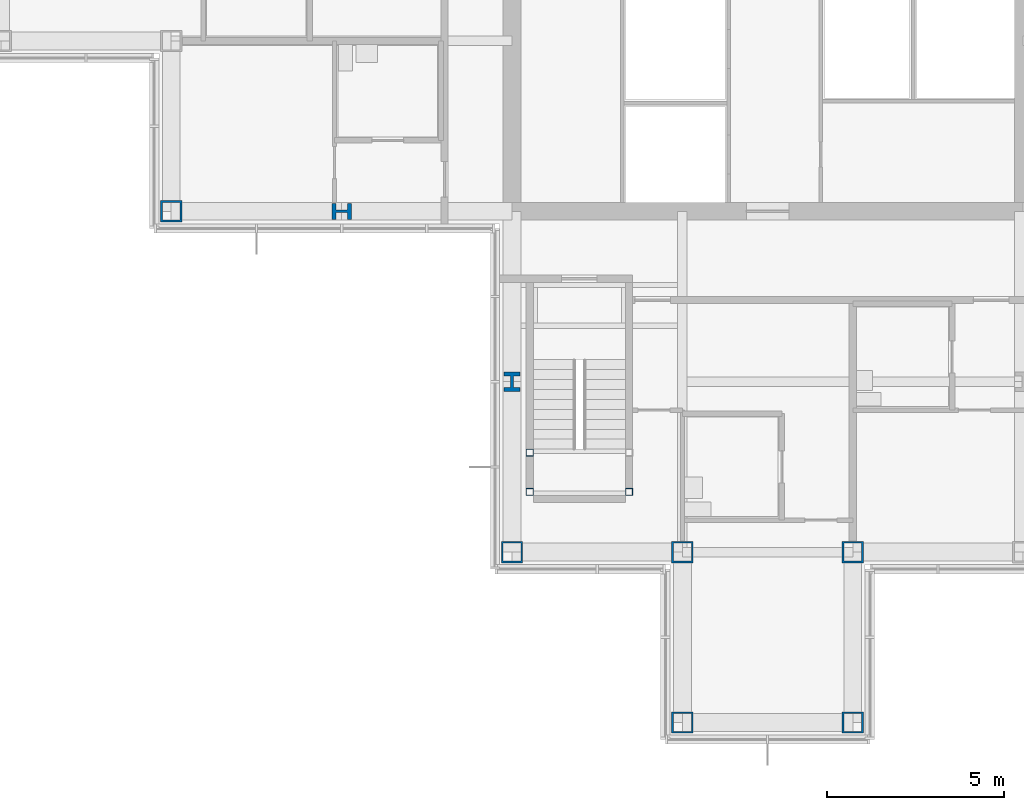
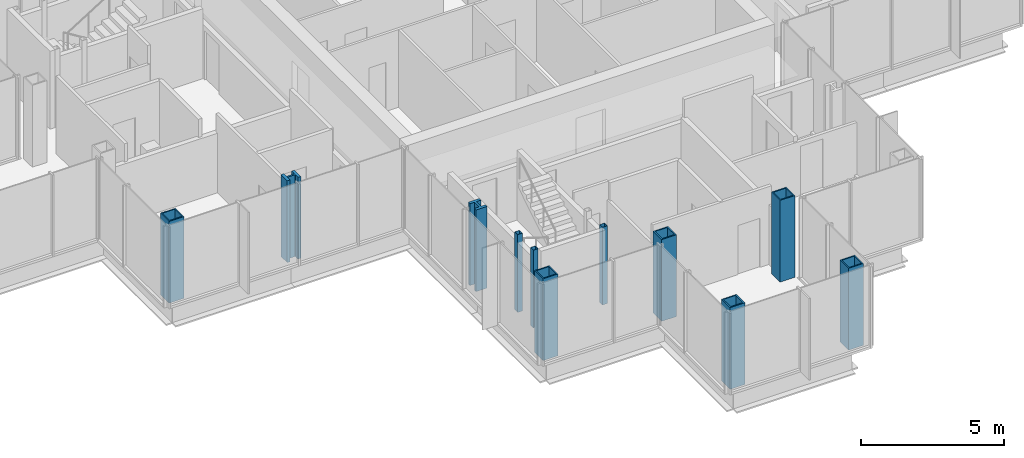
# One storey, part 1 of 15: 11 columns.
"""IFC4 building model written with IfcOpenShell, lengths in metres."""

from ifc_helpers import new_model, si_unit, direction, frame, origin, origin_2d, place, context, subcontext, project, spatial, hollow_rectangle, i_section, extrude, material, material_profile, profile_set, type_object, element, save


model = new_model("IFC4")

# Units and contexts
model_context = context("Model", 3, precision=1e-05, world=origin(), true_north=direction((0.0, 1.0)))
body_context = subcontext(model_context, "Body", "Model", "MODEL_VIEW")
ifc_project = project(units=[si_unit("LENGTHUNIT", "METRE"), si_unit("AREAUNIT", "SQUARE_METRE"), si_unit("VOLUMEUNIT", "CUBIC_METRE"), si_unit("PLANEANGLEUNIT", "RADIAN"), si_unit("MASSUNIT", "GRAM", prefix="KILO")], contexts=[model_context])

# Site, building, storey
site_placement = place(None, origin())
site = spatial("IfcSite", under=ifc_project, at=site_placement, CompositionType="ELEMENT")
building_placement = place(site_placement, origin())
building = spatial("IfcBuilding", under=site, at=building_placement, Name="Kvirike Care Tower", CompositionType="ELEMENT")
storey_placement = place(building_placement, frame((0.0, 0.0, 229.5)))
storey = spatial("IfcBuildingStorey", under=building, at=storey_placement, Name="L63", CompositionType="ELEMENT", Elevation=229.5)

# Columns
ifc_material_1 = material(Name="Steel S460", Category="steel")
ifc_material_profile_1 = material_profile(ifc_material_1, hollow_rectangle(XDim=0.60009765625, YDim=0.60009765625, WallThickness=0.050048828125, at=origin_2d()), Name="BX 600x600x50")
ifc_profile_set_1 = profile_set([ifc_material_profile_1], Name="Steel S460")
column_type_1 = type_object("IfcColumnType", Name="COLUMN BX 600x600x50", PredefinedType="COLUMN", material=ifc_profile_set_1)
for number, where, z_axis, x_axis, name in (
    (1, (4.800048828125, 28.800048828125, 0.0), (0.0, 0.0, 1.0), (0.0, 1.0, 0.0), "Column G4 L63"),
    (2, (14.39990234375, 19.199951171875, 0.0), (0.0, 0.0, 1.0), (0.0, 1.0, 0.0), "Column E6 L63"),
    (3, (19.199951171875, 14.39990234375, 0.0), (0.0, 0.0, 1.0), (0.0, 1.0, 0.0), "Column D7 L63"),
    (4, (19.199951171875, 19.199951171875, 0.0), (0.0, 0.0, 1.0), (0.0, 1.0, 0.0), "Column E7 L63"),
    (5, (24.0, 14.39990234375, 0.0), (0.0, 0.0, 1.0), (0.0, 1.0, 0.0), "Column D8 L63"),
    (6, (24.0, 19.199951171875, 0.0), (0.0, 0.0, 1.0), (0.0, 1.0, 0.0), "Column E8 L63"),
):
    element("IfcColumn", number, at=place(storey_placement, frame(where, z_axis=z_axis, x_axis=x_axis)), inside=storey, type_object=column_type_1, Name=name, PredefinedType="COLUMN", context=body_context, shape_type="SweptSolid", body=[
        extrude(hollow_rectangle(XDim=0.60009765625, YDim=0.60009765625, WallThickness=0.050048828125, at=origin_2d()), origin(), (0.0, 0.0, 1.0), 3.5),
    ])
ifc_material_2 = material(Name="Steel S460", Category="steel")
ifc_material_profile_2 = material_profile(ifc_material_2, i_section(OverallWidth=0.447998046875, OverallDepth=0.550048828125, WebThickness=0.072021484375, FlangeThickness=0.114990234375, FilletRadius=0.014892578125, at=origin_2d()), Name="HD 400x990")
ifc_profile_set_2 = profile_set([ifc_material_profile_2], Name="Steel S460")
column_type_2 = type_object("IfcColumnType", Name="COLUMN HD 400x990", PredefinedType="COLUMN", material=ifc_profile_set_2)
for number, where, z_axis, x_axis, name in (
    (7, (9.60009765625, 28.800048828125, 0.0), (0.0, 0.0, 1.0), (0.0, 1.0, 0.0), "Column G5 L63"),
    (8, (14.39990234375, 24.0, 0.0), (0.0, 0.0, 1.0), (1.0, 0.0, 0.0), "Column F6 L63"),
):
    element("IfcColumn", number, at=place(storey_placement, frame(where, z_axis=z_axis, x_axis=x_axis)), inside=storey, type_object=column_type_2, Name=name, PredefinedType="COLUMN", context=body_context, shape_type="SweptSolid", body=[
        extrude(i_section(OverallWidth=0.447998046875, OverallDepth=0.550048828125, WebThickness=0.072021484375, FlangeThickness=0.114990234375, FilletRadius=0.014892578125, at=origin_2d()), origin(), (0.0, 0.0, 1.0), 3.5),
    ])
ifc_material_3 = material(Name="Steel S460", Category="steel")
ifc_material_profile_3 = material_profile(ifc_material_3, hollow_rectangle(XDim=0.199951171875, YDim=0.199951171875, WallThickness=0.008056640625, at=origin_2d()), Name="SHS 200x200x8")
ifc_profile_set_3 = profile_set([ifc_material_profile_3], Name="Steel S460")
column_type_3 = type_object("IfcColumnType", Name="STAIR POST SHS 200x200x8", PredefinedType="COLUMN", material=ifc_profile_set_3)
for number, where, z_axis, x_axis, name in (
    (9, (14.89990234375, 20.89990234375, 0.0), (0.0, 0.0, 1.0), (1.0, 0.0, 0.0), "Stair 5 post 1 L63"),
    (10, (17.699951171875, 20.89990234375, 0.0), (0.0, 0.0, 1.0), (1.0, 0.0, 0.0), "Stair 5 post 2 L63"),
    (11, (14.89990234375, 22.0, 0.0), (0.0, 0.0, 1.0), (1.0, 0.0, 0.0), "Stair 5 post 3 L63"),
):
    element("IfcColumn", number, at=place(storey_placement, frame(where, z_axis=z_axis, x_axis=x_axis)), inside=storey, type_object=column_type_3, Name=name, PredefinedType="COLUMN", context=body_context, shape_type="SweptSolid", body=[
        extrude(hollow_rectangle(XDim=0.199951171875, YDim=0.199951171875, WallThickness=0.008056640625, at=origin_2d()), origin(), (0.0, 0.0, 1.0), 3.330078125),
    ])

save(model, "model.ifc")
